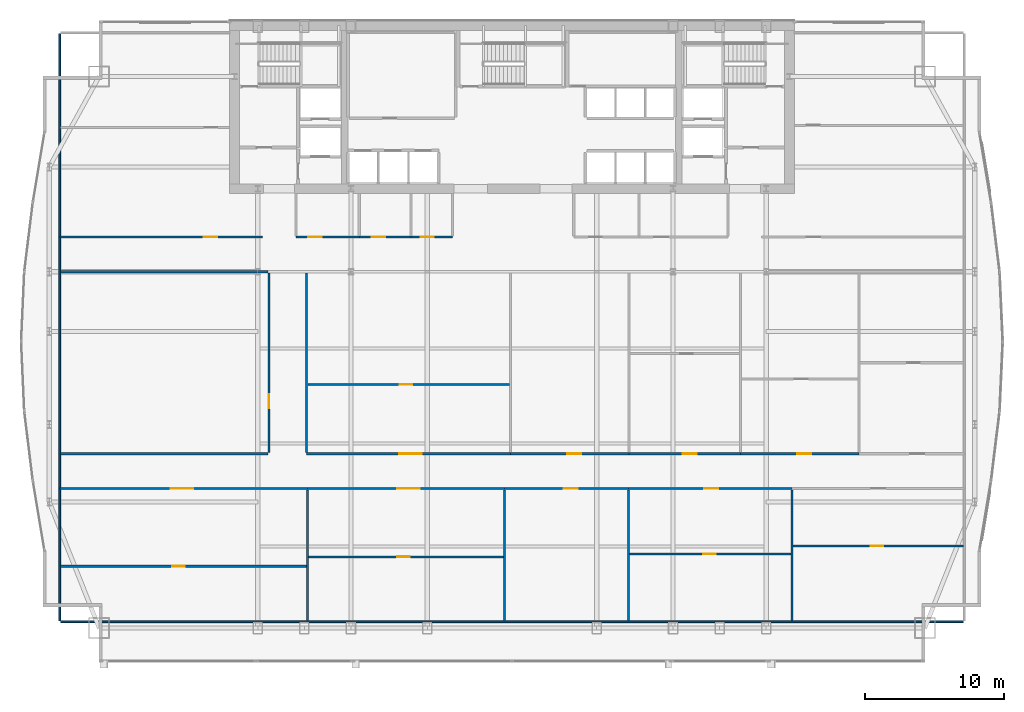
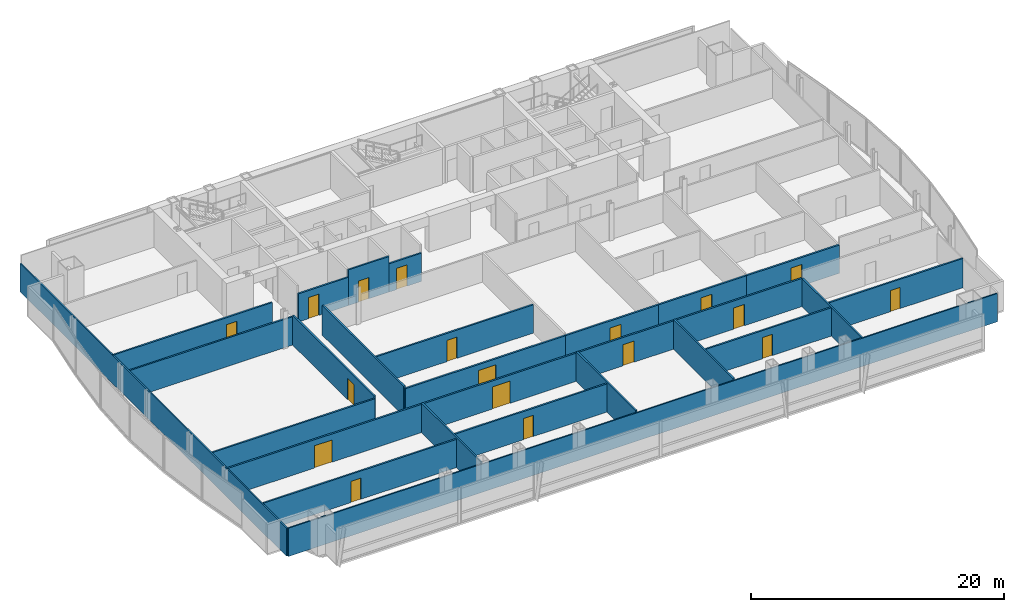
# One storey, part 26 of 31: 27 walls, 18 doors, 18 openings.
"""IFC4 building model written with IfcOpenShell, lengths in metres."""

import ifcopenshell
import ifcopenshell.guid

model = None  # the IFC model being written
_history = None  # IfcOwnerHistory: only IFC2X3 demands one
_inside = {}  # id of a spatial element -> (the spatial element, [elements in it])
_under = {}  # id of a project, library or spatial element -> (it, [spatial elements below it])
_declared = {}  # id of a project -> (the project, [libraries it declares])
_typed = {}  # id of a type object -> (the type object, [elements of that type])
_made_of = {}  # id of a material, layer set ... -> (it, [elements and type objects made of it])


def new_model(schema):
    """Start an empty IFC model of exactly this schema.

    Asked for "IFC4X3", IfcOpenShell would pick the latest addendum, in which some entities
    have other attributes; the version numbers below select the first issue.
    IFC2X3 requires an IfcOwnerHistory on every rooted entity: one is made here for all.
    """
    global model, _history
    if schema == "IFC4X3":
        model = ifcopenshell.file(schema_version=(4, 3, 0, 0))
    else:
        model = ifcopenshell.file(schema=schema)
    _inside.clear()
    _under.clear()
    _declared.clear()
    _typed.clear()
    _made_of.clear()
    _history = None
    if model.schema == "IFC2X3":
        org = make("IfcOrganization", Name="unknown")
        user = make(
            "IfcPersonAndOrganization",
            ThePerson=make("IfcPerson", FamilyName="unknown"),
            TheOrganization=org,
        )
        app = make(
            "IfcApplication",
            ApplicationDeveloper=org,
            Version="unknown",
            ApplicationFullName="unknown",
            ApplicationIdentifier="unknown",
        )
        _history = make(
            "IfcOwnerHistory",
            OwningUser=user,
            OwningApplication=app,
            ChangeAction="ADDED",
            CreationDate=0,
        )
    return model


def make(cls, **values):
    """One entity of the class cls with the attributes given. An attribute that is None is left unset."""
    return model.create_entity(
        cls, **{name: value for name, value in values.items() if value is not None}
    )


def rooted(cls, **values):
    """An entity with a GlobalId (a new one), such as an element, a storey or a relation."""
    return make(cls, GlobalId=ifcopenshell.guid.new(), OwnerHistory=_history, **values)


def si_unit(unit_type, name, prefix=None):
    """IfcSIUnit, for example si_unit("LENGTHUNIT", "METRE", prefix="MILLI")."""
    return make("IfcSIUnit", UnitType=unit_type, Prefix=prefix, Name=name)


def assignment(units):
    """IfcUnitAssignment: the units of a project."""
    return None if units is None else make("IfcUnitAssignment", Units=units)


def point(xyz):
    """IfcCartesianPoint."""
    return None if xyz is None else make("IfcCartesianPoint", Coordinates=xyz)


def direction(xyz):
    """IfcDirection."""
    return None if xyz is None else make("IfcDirection", DirectionRatios=xyz)


def frame(location, z_axis=None, x_axis=None):
    """IfcAxis2Placement3D, a coordinate frame: its origin and axes. An axis left out is left unset."""
    return make(
        "IfcAxis2Placement3D",
        Location=point(location),
        Axis=direction(z_axis),
        RefDirection=direction(x_axis),
    )


def frame_2d(location, x_axis=None):
    """IfcAxis2Placement2D, a coordinate frame in the plane: its origin and x axis."""
    return make(
        "IfcAxis2Placement2D", Location=point(location), RefDirection=direction(x_axis)
    )


def origin():
    """The frame at (0, 0, 0) with its axes left unset."""
    return frame((0.0, 0.0, 0.0))


def place(relative_to, where):
    """IfcLocalPlacement: puts the frame where relative to a parent placement (None: the world)."""
    return make(
        "IfcLocalPlacement", PlacementRelTo=relative_to, RelativePlacement=where
    )


def context(
    kind, dimensions, precision=None, world=None, true_north=None, identifier=None
):
    """IfcGeometricRepresentationContext, for example the 3D "Model" context."""
    return make(
        "IfcGeometricRepresentationContext",
        ContextIdentifier=identifier,
        ContextType=kind,
        CoordinateSpaceDimension=dimensions,
        Precision=precision,
        WorldCoordinateSystem=world,
        TrueNorth=true_north,
    )


def subcontext(parent, identifier, kind, view, scale=None):
    """IfcGeometricRepresentationSubContext, for example "Body" below "Model"."""
    return make(
        "IfcGeometricRepresentationSubContext",
        ContextIdentifier=identifier,
        ContextType=kind,
        ParentContext=parent,
        TargetScale=scale,
        TargetView=view,
    )


def project(units=None, contexts=None):
    """IfcProject with its units and contexts."""
    return rooted(
        "IfcProject",
        Name="project",
        RepresentationContexts=contexts,
        UnitsInContext=assignment(units),
    )


def spatial(cls, under=None, at=None, **own):
    """A site, building, storey or space (cls), placed at a placement, below another one or the project."""
    s = rooted(cls, ObjectPlacement=at, **own)
    if under is not None:
        _under.setdefault(under.id(), (under, []))[1].append(s)
    return s


def profile(cls, at=None, kind="AREA", **sizes):
    """A parametric profile (cls). Its sizes go by their IFC names, for example OverallWidth=200.0."""
    return make(cls, ProfileType=kind, Position=at, **sizes)


def rectangle(**sizes):
    """IfcRectangleProfileDef."""
    return profile("IfcRectangleProfileDef", **sizes)


def extrude(swept, where, along, depth):
    """IfcExtrudedAreaSolid: the profile swept, set in the frame where, extruded along a direction by depth."""
    return make(
        "IfcExtrudedAreaSolid",
        SweptArea=swept,
        Position=where,
        ExtrudedDirection=direction(along),
        Depth=depth,
    )


def shape(context_of_items, identifier, shape_type, items):
    """IfcShapeRepresentation: the items that make up one representation, for example the "Body"."""
    return make(
        "IfcShapeRepresentation",
        ContextOfItems=context_of_items,
        RepresentationIdentifier=identifier,
        RepresentationType=shape_type,
        Items=items,
    )


def material(Name=None, Category=None):
    """IfcMaterial."""
    return make("IfcMaterial", Name=Name, Category=Category)


def layer(
    of_material, thickness, ventilated=None, Name=None, Category=None, Priority=None
):
    """IfcMaterialLayer: one layer of a wall or slab, of a material (None: an air gap)."""
    return make(
        "IfcMaterialLayer",
        Material=of_material,
        LayerThickness=thickness,
        IsVentilated=ventilated,
        Name=Name,
        Category=Category,
        Priority=Priority,
    )


def layer_set(layers, Name=None):
    """IfcMaterialLayerSet."""
    return make("IfcMaterialLayerSet", MaterialLayers=layers, LayerSetName=Name)


def made_of(thing, what):
    """Note that an element or type object is made of a material, layer set ...; save() writes the relation."""
    if what is not None:
        _made_of.setdefault(what.id(), (what, []))[1].append(thing)
    return thing


def type_object(cls, material=None, **own):
    """A type object (cls), such as IfcWallType, which elements share."""
    return made_of(rooted(cls, **own), material)


def element(
    cls,
    number,
    at=None,
    inside=None,
    cuts=None,
    type_object=None,
    material=None,
    context=None,
    identifier="Body",
    shape_type=None,
    held_by="IfcProductDefinitionShape",
    body=None,
    shapes=None,
    **own,
):
    """One element of the class cls, such as IfcWall. Its Tag is "e" and its number.

    at: its placement. inside: the storey or other place that contains it. cuts: it is an
    opening in that element (IfcRelVoidsElement). A single representation is given by context,
    identifier, shape_type and body (its items); several are given by shapes. held_by: the class
    of the entity that holds the representations. save() writes the other relations.
    """
    e = rooted(cls, Tag="e%d" % number, ObjectPlacement=at, **own)
    if body is not None:
        shapes = [shape(context, identifier, shape_type, body)]
    if shapes is not None:
        e.Representation = make(held_by, Representations=shapes)
    if inside is not None:
        _inside.setdefault(inside.id(), (inside, []))[1].append(e)
    if cuts is not None:
        rooted(
            "IfcRelVoidsElement", RelatingBuildingElement=cuts, RelatedOpeningElement=e
        )
    if type_object is not None:
        _typed.setdefault(type_object.id(), (type_object, []))[1].append(e)
    return made_of(e, material)


def fill(opening, filler):
    """IfcRelFillsElement: the door or window that sits in an opening."""
    return rooted(
        "IfcRelFillsElement",
        RelatingOpeningElement=opening,
        RelatedBuildingElement=filler,
    )


def aggregate(whole, parts):
    """IfcRelAggregates: a whole, such as a stair, and the parts it consists of."""
    return rooted("IfcRelAggregates", RelatingObject=whole, RelatedObjects=parts)


def save(model, path):
    """Write the relations noted so far, then the file.

    IfcRelAggregates (storeys below a building ...), IfcRelContainedInSpatialStructure (elements
    in a storey), IfcRelDefinesByType, IfcRelAssociatesMaterial and IfcRelDeclares: one each for
    every whole, place, type object, material and project.
    """
    for whole, parts in _under.values():
        aggregate(whole, parts)
    for where, things in _inside.values():
        rooted(
            "IfcRelContainedInSpatialStructure",
            RelatedElements=things,
            RelatingStructure=where,
        )
    for kind, things in _typed.values():
        rooted("IfcRelDefinesByType", RelatedObjects=things, RelatingType=kind)
    for what, things in _made_of.values():
        rooted("IfcRelAssociatesMaterial", RelatedObjects=things, RelatingMaterial=what)
    for by, libraries in _declared.values():
        rooted("IfcRelDeclares", RelatingContext=by, RelatedDefinitions=libraries)
    model.write(path)


model = new_model("IFC4")

# Units and contexts
model_context = context("Model", 3, precision=1e-05, world=origin(), true_north=direction((0.0, 1.0)))
body_context = subcontext(model_context, "Body", "Model", "MODEL_VIEW")
ifc_project = project(units=[si_unit("LENGTHUNIT", "METRE"), si_unit("AREAUNIT", "SQUARE_METRE"), si_unit("VOLUMEUNIT", "CUBIC_METRE"), si_unit("PLANEANGLEUNIT", "RADIAN"), si_unit("MASSUNIT", "GRAM", prefix="KILO")], contexts=[model_context])

# Site, building, storey
site_placement = place(None, origin())
site = spatial("IfcSite", under=ifc_project, at=site_placement, CompositionType="ELEMENT")
building_placement = place(site_placement, origin())
building = spatial("IfcBuilding", under=site, at=building_placement, Name="Khoronbel Lancet Exchange", CompositionType="ELEMENT")
storey_placement = place(building_placement, frame((0.0, 0.0, 121.800048828125)))
storey = spatial("IfcBuildingStorey", under=building, at=storey_placement, Name="L29", CompositionType="ELEMENT", Elevation=121.800048828125)

# Wall, opening, door
ifc_material_1 = material(Name="Acoustic Metal-Stud & Mineral-Wool Gypsum Partition 120 mm", Category="gypsum")
ifc_layer_1 = layer(ifc_material_1, 0.1201171875, Name="Acoustic Metal-Stud & Mineral-Wool Gypsum Partition 120 mm")
ifc_layer_set_1 = layer_set([ifc_layer_1], Name="Acoustic Metal-Stud & Mineral-Wool Gypsum Partition 120 mm")
wall_type_1 = type_object("IfcWallType", Name="WL-PRT120", PredefinedType="PARTITIONING", material=ifc_layer_set_1)
wall_1_placement = place(storey_placement, frame((4.094970703125, 14.58447265625, 0.0), z_axis=(0.0, 0.0, 1.0), x_axis=(1.0, 0.0, 0.0)))
wall_1 = element("IfcWall", 1, at=wall_1_placement, inside=storey, type_object=wall_type_1, Name="Level L29 interior partition PW-Z2S-H1", PredefinedType="PARTITIONING", context=body_context, shape_type="SweptSolid", body=[
    extrude(rectangle(XDim=17.6201171875, YDim=0.14990234375, at=frame_2d((8.81005859375, 0.0))), origin(), (0.0, 0.0, 1.0), 2.72998046875),
])
opening_1_placement = place(wall_1_placement, frame((7.994384765625, 0.0, 0.0)))
opening_1 = element("IfcOpeningElement", 2, at=opening_1_placement, cuts=wall_1, Name="Opening D5", PredefinedType="OPENING", context=body_context, shape_type="SweptSolid", body=[
    extrude(rectangle(XDim=0.89990234375, YDim=2.050048828125, at=frame_2d((0.449951171875, 1.02490234375))), frame((0.0, 0.0849609375, 0.0), z_axis=(0.0, -1.0, 0.0), x_axis=(1.0, 0.0, 0.0)), (0.0, 0.0, 1.0), 0.169921875),
])
ifc_material_2 = material(Name="Acoustic Timber Pantry & Support Door", Category="wood")
door_type_1 = type_object("IfcDoorType", Name="DR-D5", OperationType="NOTDEFINED", PredefinedType="DOOR", material=ifc_material_2)
door_1_placement = place(opening_1_placement, origin())
door_1 = element("IfcDoor", 3, at=door_1_placement, inside=storey, type_object=door_type_1, Name="Z2S inner door 1 L29-1", OperationType="SINGLE_SWING_RIGHT", OverallHeight=2.050048828125, OverallWidth=0.89990234375, PredefinedType="DOOR", context=body_context, shape_type="SweptSolid", body=[
    extrude(rectangle(XDim=0.89990234375, YDim=2.050048828125, at=frame_2d((0.449951171875, 1.02490234375))), frame((0.0, 0.02490234375, 0.0), z_axis=(0.0, -1.0, 0.0), x_axis=(1.0, 0.0, 0.0)), (0.0, 0.0, 1.0), 0.050048828125),
])
fill(opening_1, door_1)

wall_2_placement = place(storey_placement, frame((21.875, 15.260986328125, 0.0), z_axis=(0.0, 0.0, 1.0), x_axis=(1.0, 0.0, 0.0)))
wall_2 = element("IfcWall", 4, at=wall_2_placement, inside=storey, type_object=wall_type_1, Name="Level L29 interior partition PW-Z2S-H2", PredefinedType="PARTITIONING", context=body_context, shape_type="SweptSolid", body=[
    extrude(rectangle(XDim=13.968994140625, YDim=0.14990234375, at=frame_2d((6.984375, 0.0))), origin(), (0.0, 0.0, 1.0), 2.72998046875),
])
opening_2_placement = place(wall_2_placement, frame((6.358154296875, 0.0, 0.0)))
opening_2 = element("IfcOpeningElement", 5, at=opening_2_placement, cuts=wall_2, Name="Opening D5", PredefinedType="OPENING", context=body_context, shape_type="SweptSolid", body=[
    extrude(rectangle(XDim=0.89990234375, YDim=2.050048828125, at=frame_2d((0.449951171875, 1.02490234375))), frame((0.0, 0.0849609375, 0.0), z_axis=(0.0, -1.0, 0.0), x_axis=(1.0, 0.0, 0.0)), (0.0, 0.0, 1.0), 0.169921875),
])
door_2_placement = place(opening_2_placement, origin())
door_2 = element("IfcDoor", 6, at=door_2_placement, inside=storey, type_object=door_type_1, Name="Z2S inner door 2 L29-1", OperationType="SINGLE_SWING_LEFT", OverallHeight=2.050048828125, OverallWidth=0.89990234375, PredefinedType="DOOR", context=body_context, shape_type="SweptSolid", body=[
    extrude(rectangle(XDim=0.89990234375, YDim=2.050048828125, at=frame_2d((0.449951171875, 1.02490234375))), frame((0.0, 0.02490234375, 0.0), z_axis=(0.0, -1.0, 0.0), x_axis=(1.0, 0.0, 0.0)), (0.0, 0.0, 1.0), 0.050048828125),
])
fill(opening_2, door_2)

wall_3_placement = place(storey_placement, frame((44.88671875, 15.4716796875, 0.0), z_axis=(0.0, 0.0, 1.0), x_axis=(1.0, 0.0, 0.0)))
wall_3 = element("IfcWall", 7, at=wall_3_placement, inside=storey, type_object=wall_type_1, Name="Level L29 interior partition PW-Z2S-H4", PredefinedType="PARTITIONING", context=body_context, shape_type="SweptSolid", body=[
    extrude(rectangle(XDim=11.56640625, YDim=0.14990234375, at=frame_2d((5.783203125, 0.0))), origin(), (0.0, 0.0, 1.0), 2.72998046875),
])
opening_3_placement = place(wall_3_placement, frame((5.27685546875, 0.0, 0.0)))
opening_3 = element("IfcOpeningElement", 8, at=opening_3_placement, cuts=wall_3, Name="Opening D5", PredefinedType="OPENING", context=body_context, shape_type="SweptSolid", body=[
    extrude(rectangle(XDim=0.89990234375, YDim=2.050048828125, at=frame_2d((0.449951171875, 1.02490234375))), frame((0.0, 0.0849609375, 0.0), z_axis=(0.0, -1.0, 0.0), x_axis=(1.0, 0.0, 0.0)), (0.0, 0.0, 1.0), 0.169921875),
])
door_3_placement = place(opening_3_placement, origin())
door_3 = element("IfcDoor", 9, at=door_3_placement, inside=storey, type_object=door_type_1, Name="Z2S inner door 4 L29-1", OperationType="SINGLE_SWING_RIGHT", OverallHeight=2.050048828125, OverallWidth=0.89990234375, PredefinedType="DOOR", context=body_context, shape_type="SweptSolid", body=[
    extrude(rectangle(XDim=0.89990234375, YDim=2.050048828125, at=frame_2d((0.449951171875, 1.02490234375))), frame((0.0, 0.02490234375, 0.0), z_axis=(0.0, -1.0, 0.0), x_axis=(1.0, 0.0, 0.0)), (0.0, 0.0, 1.0), 0.050048828125),
])
fill(opening_3, door_3)

wall_4_placement = place(storey_placement, frame((56.613037109375, 16.03369140625, 0.0), z_axis=(0.0, 0.0, 1.0), x_axis=(1.0, 0.0, 0.0)))
wall_4 = element("IfcWall", 10, at=wall_4_placement, inside=storey, type_object=wall_type_1, Name="Level L29 interior partition PW-Z2S-H5", PredefinedType="PARTITIONING", context=body_context, shape_type="SweptSolid", body=[
    extrude(rectangle(XDim=12.19189453125, YDim=0.14990234375, at=frame_2d((6.095947265625, 0.0))), origin(), (0.0, 0.0, 1.0), 2.829833984375),
])
opening_4_placement = place(wall_4_placement, frame((5.551513671875, 0.0, 0.0)))
opening_4 = element("IfcOpeningElement", 11, at=opening_4_placement, cuts=wall_4, Name="Opening D5", PredefinedType="OPENING", context=body_context, shape_type="SweptSolid", body=[
    extrude(rectangle(XDim=0.89990234375, YDim=2.050048828125, at=frame_2d((0.449951171875, 1.02490234375))), frame((0.0, 0.0849609375, 0.0), z_axis=(0.0, -1.0, 0.0), x_axis=(1.0, 0.0, 0.0)), (0.0, 0.0, 1.0), 0.169921875),
])
door_4_placement = place(opening_4_placement, origin())
door_4 = element("IfcDoor", 12, at=door_4_placement, inside=storey, type_object=door_type_1, Name="Z2S inner door 5 L29-1", OperationType="SINGLE_SWING_RIGHT", OverallHeight=2.050048828125, OverallWidth=0.89990234375, PredefinedType="DOOR", context=body_context, shape_type="SweptSolid", body=[
    extrude(rectangle(XDim=0.89990234375, YDim=2.050048828125, at=frame_2d((0.449951171875, 1.02490234375))), frame((0.0, 0.02490234375, 0.0), z_axis=(0.0, -1.0, 0.0), x_axis=(1.0, 0.0, 0.0)), (0.0, 0.0, 1.0), 0.050048828125),
])
fill(opening_4, door_4)

wall_5_placement = place(storey_placement, frame((21.81005859375, 27.60888671875, 0.0), z_axis=(0.0, 0.0, 1.0), x_axis=(1.0, 0.0, 0.0)))
wall_5 = element("IfcWall", 13, at=wall_5_placement, inside=storey, type_object=wall_type_1, Name="Level L29 interior partition PW-Z2N-H1", PredefinedType="PARTITIONING", context=body_context, shape_type="SweptSolid", body=[
    extrude(rectangle(XDim=14.453369140625, YDim=0.14990234375, at=frame_2d((7.2265625, 0.0))), origin(), (0.0, 0.0, 1.0), 2.72998046875),
])
opening_5_placement = place(wall_5_placement, frame((6.575927734375, 0.0, 0.0)))
opening_5 = element("IfcOpeningElement", 14, at=opening_5_placement, cuts=wall_5, Name="Opening D5", PredefinedType="OPENING", context=body_context, shape_type="SweptSolid", body=[
    extrude(rectangle(XDim=0.89990234375, YDim=2.050048828125, at=frame_2d((0.449951171875, 1.02490234375))), frame((0.0, 0.0849609375, 0.0), z_axis=(0.0, -1.0, 0.0), x_axis=(1.0, 0.0, 0.0)), (0.0, 0.0, 1.0), 0.169921875),
])
door_5_placement = place(opening_5_placement, origin())
door_5 = element("IfcDoor", 15, at=door_5_placement, inside=storey, type_object=door_type_1, Name="Z2N inner door 1 L29-1", OperationType="SINGLE_SWING_RIGHT", OverallHeight=2.050048828125, OverallWidth=0.89990234375, PredefinedType="DOOR", context=body_context, shape_type="SweptSolid", body=[
    extrude(rectangle(XDim=0.89990234375, YDim=2.050048828125, at=frame_2d((0.449951171875, 1.02490234375))), frame((0.0, 0.02490234375, 0.0), z_axis=(0.0, -1.0, 0.0), x_axis=(1.0, 0.0, 0.0)), (0.0, 0.0, 1.0), 0.050048828125),
])
fill(opening_5, door_5)

# Walls
wall_6_placement = place(storey_placement, frame((4.030029296875, 10.6650390625, 0.0), z_axis=(0.0, 0.0, 1.0), x_axis=(0.0, 1.0, 0.0)))
element("IfcWall", 16, at=wall_6_placement, inside=storey, type_object=wall_type_1, Name="Level L29 interior partition PW-LIN-W", PredefinedType="PARTITIONING", context=body_context, shape_type="SweptSolid", body=[
    extrude(rectangle(XDim=42.10986328125, YDim=0.1201171875, at=frame_2d((21.054931640625, 0.0))), origin(), (0.0, 0.0, 1.0), 2.72998046875),
])
wall_7_placement = place(storey_placement, frame((4.094970703125, 10.60009765625, 0.0), z_axis=(0.0, 0.0, 1.0), x_axis=(1.0, 0.0, 0.0)))
element("IfcWall", 17, at=wall_7_placement, inside=storey, type_object=wall_type_1, Name="Level L29 interior partition PW-LIN-S", PredefinedType="PARTITIONING", context=body_context, shape_type="SweptSolid", body=[
    extrude(rectangle(XDim=64.7099609375, YDim=0.1201171875, at=frame_2d((32.35498046875, 0.0))), origin(), (0.0, 0.0, 1.0), 2.72998046875),
])

# Wall, opening, door
ifc_material_3 = material(Name="Fire-Rated Twin-Stud Acoustic Gypsum Partition 150 mm", Category="gypsum")
ifc_layer_2 = layer(ifc_material_3, 0.14990234375, Name="Fire-Rated Twin-Stud Acoustic Gypsum Partition 150 mm")
ifc_layer_set_2 = layer_set([ifc_layer_2], Name="Fire-Rated Twin-Stud Acoustic Gypsum Partition 150 mm")
wall_type_2 = type_object("IfcWallType", Name="WL-PRT150C", PredefinedType="PARTITIONING", material=ifc_layer_set_2)
wall_8_placement = place(storey_placement, frame((20.949951171875, 38.199951171875, 0.0), z_axis=(0.0, 0.0, 1.0), x_axis=(1.0, 0.0, 0.0)))
wall_8 = element("IfcWall", 18, at=wall_8_placement, inside=storey, type_object=wall_type_2, Name="Level L29 interior partition PW-WC-S1", PredefinedType="PARTITIONING", context=body_context, shape_type="SweptSolid", body=[
    extrude(rectangle(XDim=4.550048828125, YDim=0.14990234375, at=frame_2d((2.27490234375, 0.0))), origin(), (0.0, 0.0, 1.0), 2.72998046875),
])
opening_6_placement = place(wall_8_placement, frame((0.89990234375, 0.0, 0.0)))
opening_6 = element("IfcOpeningElement", 19, at=opening_6_placement, cuts=wall_8, Name="Opening D4", PredefinedType="OPENING", context=body_context, shape_type="SweptSolid", body=[
    extrude(rectangle(XDim=0.949951171875, YDim=2.050048828125, at=frame_2d((0.47509765625, 1.02490234375))), frame((0.0, 0.0849609375, 0.0), z_axis=(0.0, -1.0, 0.0), x_axis=(1.0, 0.0, 0.0)), (0.0, 0.0, 1.0), 0.169921875),
])
ifc_material_4 = material(Name="Moisture-Resistant HPL Washroom Door", Category="wood")
door_type_2 = type_object("IfcDoorType", Name="DR-D4", OperationType="NOTDEFINED", PredefinedType="DOOR", material=ifc_material_4)
door_6_placement = place(opening_6_placement, origin())
door_6 = element("IfcDoor", 20, at=door_6_placement, inside=storey, type_object=door_type_2, Name="Male washroom door L29-1", OperationType="SINGLE_SWING_LEFT", OverallHeight=2.050048828125, OverallWidth=0.949951171875, PredefinedType="DOOR", context=body_context, shape_type="SweptSolid", body=[
    extrude(rectangle(XDim=0.949951171875, YDim=2.050048828125, at=frame_2d((0.47509765625, 1.02490234375))), frame((0.0, 0.02490234375, 0.0), z_axis=(0.0, -1.0, 0.0), x_axis=(1.0, 0.0, 0.0)), (0.0, 0.0, 1.0), 0.050048828125),
])
fill(opening_6, door_6)

wall_9_placement = place(storey_placement, frame((25.5, 38.199951171875, 0.0), z_axis=(0.0, 0.0, 1.0), x_axis=(1.0, 0.0, 0.0)))
wall_9 = element("IfcWall", 21, at=wall_9_placement, inside=storey, type_object=wall_type_2, Name="Level L29 interior partition PW-WC-S2", PredefinedType="PARTITIONING", context=body_context, shape_type="SweptSolid", body=[
    extrude(rectangle(XDim=3.699951171875, YDim=0.14990234375, at=frame_2d((1.85009765625, 0.0))), origin(), (0.0, 0.0, 1.0), 3.43994140625),
])
opening_7_placement = place(wall_9_placement, frame((0.89990234375, 0.0, 0.0)))
opening_7 = element("IfcOpeningElement", 22, at=opening_7_placement, cuts=wall_9, Name="Opening D4", PredefinedType="OPENING", context=body_context, shape_type="SweptSolid", body=[
    extrude(rectangle(XDim=0.949951171875, YDim=2.050048828125, at=frame_2d((0.47509765625, 1.02490234375))), frame((0.0, 0.0849609375, 0.0), z_axis=(0.0, -1.0, 0.0), x_axis=(1.0, 0.0, 0.0)), (0.0, 0.0, 1.0), 0.169921875),
])
door_7_placement = place(opening_7_placement, origin())
door_7 = element("IfcDoor", 23, at=door_7_placement, inside=storey, type_object=door_type_2, Name="Female washroom door L29-1", OperationType="SINGLE_SWING_RIGHT", OverallHeight=2.050048828125, OverallWidth=0.949951171875, PredefinedType="DOOR", context=body_context, shape_type="SweptSolid", body=[
    extrude(rectangle(XDim=0.949951171875, YDim=2.050048828125, at=frame_2d((0.47509765625, 1.02490234375))), frame((0.0, 0.02490234375, 0.0), z_axis=(0.0, -1.0, 0.0), x_axis=(1.0, 0.0, 0.0)), (0.0, 0.0, 1.0), 0.050048828125),
])
fill(opening_7, door_7)

wall_10_placement = place(storey_placement, frame((29.199951171875, 38.199951171875, 0.0), z_axis=(0.0, 0.0, 1.0), x_axis=(1.0, 0.0, 0.0)))
wall_10 = element("IfcWall", 24, at=wall_10_placement, inside=storey, type_object=wall_type_2, Name="Level L29 interior partition PW-WC-S3", PredefinedType="PARTITIONING", context=body_context, shape_type="SweptSolid", body=[
    extrude(rectangle(XDim=2.97998046875, YDim=0.14990234375, at=frame_2d((1.489990234375, 0.0))), origin(), (0.0, 0.0, 1.0), 2.72998046875),
])
opening_8_placement = place(wall_10_placement, frame((0.699951171875, 0.0, 0.0)))
opening_8 = element("IfcOpeningElement", 25, at=opening_8_placement, cuts=wall_10, Name="Opening D4", PredefinedType="OPENING", context=body_context, shape_type="SweptSolid", body=[
    extrude(rectangle(XDim=0.949951171875, YDim=2.050048828125, at=frame_2d((0.47509765625, 1.02490234375))), frame((0.0, 0.0849609375, 0.0), z_axis=(0.0, -1.0, 0.0), x_axis=(1.0, 0.0, 0.0)), (0.0, 0.0, 1.0), 0.169921875),
])
door_8_placement = place(opening_8_placement, origin())
door_8 = element("IfcDoor", 26, at=door_8_placement, inside=storey, type_object=door_type_2, Name="Accessible WC door L29-1", OperationType="SINGLE_SWING_LEFT", OverallHeight=2.050048828125, OverallWidth=0.949951171875, PredefinedType="DOOR", context=body_context, shape_type="SweptSolid", body=[
    extrude(rectangle(XDim=0.949951171875, YDim=2.050048828125, at=frame_2d((0.47509765625, 1.02490234375))), frame((0.0, 0.02490234375, 0.0), z_axis=(0.0, -1.0, 0.0), x_axis=(1.0, 0.0, 0.0)), (0.0, 0.0, 1.0), 0.050048828125),
])
fill(opening_8, door_8)

wall_11_placement = place(storey_placement, frame((4.030029296875, 38.199951171875, 0.0), z_axis=(0.0, 0.0, 1.0), x_axis=(1.0, 0.0, 0.0)))
wall_11 = element("IfcWall", 27, at=wall_11_placement, inside=storey, type_object=wall_type_2, Name="Level L29 interior partition PW-NW-S", PredefinedType="PARTITIONING", context=body_context, shape_type="SweptSolid", body=[
    extrude(rectangle(XDim=14.52001953125, YDim=0.14990234375, at=frame_2d((7.260009765625, 0.0))), origin(), (0.0, 0.0, 1.0), 2.72998046875),
])
opening_9_placement = place(wall_11_placement, frame((10.320068359375, 0.0, 0.0)))
opening_9 = element("IfcOpeningElement", 28, at=opening_9_placement, cuts=wall_11, Name="Opening D1", PredefinedType="OPENING", context=body_context, shape_type="SweptSolid", body=[
    extrude(rectangle(XDim=0.949951171875, YDim=2.050048828125, at=frame_2d((0.47509765625, 1.02490234375))), frame((0.0, 0.0849609375, 0.0), z_axis=(0.0, -1.0, 0.0), x_axis=(1.0, 0.0, 0.0)), (0.0, 0.0, 1.0), 0.169921875),
])
ifc_material_5 = material(Name="Acoustic Veneered Timber & Bronze Frame Door", Category="wood")
door_type_3 = type_object("IfcDoorType", Name="DR-D1", OperationType="NOTDEFINED", PredefinedType="DOOR", material=ifc_material_5)
door_9_placement = place(opening_9_placement, origin())
door_9 = element("IfcDoor", 29, at=door_9_placement, inside=storey, type_object=door_type_3, Name="NW corner room door L29-1", OperationType="SINGLE_SWING_RIGHT", OverallHeight=2.050048828125, OverallWidth=0.949951171875, PredefinedType="DOOR", context=body_context, shape_type="SweptSolid", body=[
    extrude(rectangle(XDim=0.949951171875, YDim=2.050048828125, at=frame_2d((0.47509765625, 1.02490234375))), frame((0.0, 0.02490234375, 0.0), z_axis=(0.0, -1.0, 0.0), x_axis=(1.0, 0.0, 0.0)), (0.0, 0.0, 1.0), 0.050048828125),
])
fill(opening_9, door_9)

# Walls
for number, where, z_axis, x_axis, name in (
    (30, (21.795166015625, 10.6650390625, 0.0), (0.0, 0.0, 1.0), (0.0, 1.0, 0.0), "Level L29 interior partition PW-Z2S-V1"),
    (31, (35.924072265625, 10.6650390625, 0.0), (0.0, 0.0, 1.0), (0.0, 1.0, 0.0), "Level L29 interior partition PW-Z2S-V2"),
    (32, (44.806640625, 10.6650390625, 0.0), (0.0, 0.0, 1.0), (0.0, 1.0, 0.0), "Level L29 interior partition PW-Z2S-V3"),
):
    element("IfcWall", number, at=place(storey_placement, frame(where, z_axis=z_axis, x_axis=x_axis)), inside=storey, type_object=wall_type_2, Name=name, PredefinedType="PARTITIONING", context=body_context, shape_type="SweptSolid", body=[
        extrude(rectangle(XDim=9.39990234375, YDim=0.14990234375, at=frame_2d((4.699951171875, 0.0))), origin(), (0.0, 0.0, 1.0), 2.8798828125),
    ])
wall_12_placement = place(storey_placement, frame((56.533203125, 10.6650390625, 0.0), z_axis=(0.0, 0.0, 1.0), x_axis=(0.0, 1.0, 0.0)))
element("IfcWall", 33, at=wall_12_placement, inside=storey, type_object=wall_type_2, Name="Level L29 interior partition PW-Z2S-V4", PredefinedType="PARTITIONING", context=body_context, shape_type="SweptSolid", body=[
    extrude(rectangle(XDim=9.39990234375, YDim=0.14990234375, at=frame_2d((4.699951171875, 0.0))), origin(), (0.0, 0.0, 1.0), 2.72998046875),
])

# Wall, opening, door
wall_13_placement = place(storey_placement, frame((19.02001953125, 22.72998046875, 0.0), z_axis=(0.0, 0.0, 1.0), x_axis=(0.0, 1.0, 0.0)))
wall_13 = element("IfcWall", 34, at=wall_13_placement, inside=storey, type_object=wall_type_2, Name="Level L29 interior partition PW-Z2-WLK", PredefinedType="PARTITIONING", context=body_context, shape_type="SweptSolid", body=[
    extrude(rectangle(XDim=12.89013671875, YDim=0.14990234375, at=frame_2d((6.445068359375, 0.0))), origin(), (0.0, 0.0, 1.0), 2.8798828125),
])
opening_10_placement = place(wall_13_placement, frame((3.199951171875, 0.0, 0.0)))
opening_10 = element("IfcOpeningElement", 35, at=opening_10_placement, cuts=wall_13, Name="Opening D2", PredefinedType="OPENING", context=body_context, shape_type="SweptSolid", body=[
    extrude(rectangle(XDim=1.0, YDim=2.050048828125, at=frame_2d((0.5, 1.02490234375))), frame((0.0, 0.0849609375, 0.0), z_axis=(0.0, -1.0, 0.0), x_axis=(1.0, 0.0, 0.0)), (0.0, 0.0, 1.0), 0.169921875),
])
door_type_4 = type_object("IfcDoorType", Name="DR-D2", OperationType="NOTDEFINED", PredefinedType="DOOR", material=ifc_material_5)
door_10_placement = place(opening_10_placement, origin())
door_10 = element("IfcDoor", 36, at=door_10_placement, inside=storey, type_object=door_type_4, Name="West mid-band room door L29-1", OperationType="SINGLE_SWING_LEFT", OverallHeight=2.050048828125, OverallWidth=1.0, PredefinedType="DOOR", context=body_context, shape_type="SweptSolid", body=[
    extrude(rectangle(XDim=1.0, YDim=2.050048828125, at=frame_2d((0.5, 1.02490234375))), frame((0.0, 0.02490234375, 0.0), z_axis=(0.0, -1.0, 0.0), x_axis=(1.0, 0.0, 0.0)), (0.0, 0.0, 1.0), 0.050048828125),
])
fill(opening_10, door_10)

# Walls
for number, where, z_axis, x_axis, name in (
    (37, (4.094970703125, 22.64990234375, 0.0), (0.0, 0.0, 1.0), (1.0, 0.0, 0.0), "Level L29 interior partition PW-Z2-WS"),
    (38, (4.094970703125, 35.699951171875, 0.0), (0.0, 0.0, 1.0), (1.0, 0.0, 0.0), "Level L29 interior partition PW-Z2-WN"),
):
    element("IfcWall", number, at=place(storey_placement, frame(where, z_axis=z_axis, x_axis=x_axis)), inside=storey, type_object=wall_type_2, Name=name, PredefinedType="PARTITIONING", context=body_context, shape_type="SweptSolid", body=[
        extrude(rectangle(XDim=14.844970703125, YDim=0.14990234375, at=frame_2d((7.42236328125, 0.0))), origin(), (0.0, 0.0, 1.0), 2.72998046875),
    ])
wall_14_placement = place(storey_placement, frame((21.72998046875, 22.735107421875, 0.0), z_axis=(0.0, 0.0, 1.0), x_axis=(0.0, 1.0, 0.0)))
element("IfcWall", 39, at=wall_14_placement, inside=storey, type_object=wall_type_2, Name="Level L29 interior partition PW-Z2-ELK", PredefinedType="PARTITIONING", context=body_context, shape_type="SweptSolid", body=[
    extrude(rectangle(XDim=12.885009765625, YDim=0.14990234375, at=frame_2d((6.4423828125, 0.0))), origin(), (0.0, 0.0, 1.0), 2.8798828125),
])

# Wall, opening, door
ifc_material_6 = material(Name="Fire-Rated Twin-Stud Acoustic Gypsum Partition 160 mm", Category="gypsum")
ifc_layer_3 = layer(ifc_material_6, 0.159912109375, Name="Fire-Rated Twin-Stud Acoustic Gypsum Partition 160 mm")
ifc_layer_set_3 = layer_set([ifc_layer_3], Name="Fire-Rated Twin-Stud Acoustic Gypsum Partition 160 mm")
wall_type_3 = type_object("IfcWallType", Name="WL-PRT160C", PredefinedType="PARTITIONING", material=ifc_layer_set_3)
wall_15_placement = place(storey_placement, frame((4.030029296875, 20.14990234375, 0.0), z_axis=(0.0, 0.0, 1.0), x_axis=(1.0, 0.0, 0.0)))
wall_15 = element("IfcWall", 40, at=wall_15_placement, inside=storey, type_object=wall_type_3, Name="Level L29 interior partition PW-Z2S-COR1", PredefinedType="PARTITIONING", context=body_context, shape_type="SweptSolid", body=[
    extrude(rectangle(XDim=17.76513671875, YDim=0.159912109375, at=frame_2d((8.882568359375, 0.0))), origin(), (0.0, 0.0, 1.0), 2.72998046875),
])
opening_11_placement = place(wall_15_placement, frame((7.961181640625, 0.0, 0.0)))
opening_11 = element("IfcOpeningElement", 41, at=opening_11_placement, cuts=wall_15, Name="Opening D3", PredefinedType="OPENING", context=body_context, shape_type="SweptSolid", body=[
    extrude(rectangle(XDim=1.60009765625, YDim=2.14990234375, at=frame_2d((0.800048828125, 1.074951171875))), frame((0.0, 0.08984375, 0.0), z_axis=(0.0, -1.0, 0.0), x_axis=(1.0, 0.0, 0.0)), (0.0, 0.0, 1.0), 0.179931640625),
])
ifc_material_7 = material(Name="Glazed Bronze-Framed Double Suite Door", Category="aluminium")
door_type_5 = type_object("IfcDoorType", Name="DR-D3", OperationType="NOTDEFINED", PredefinedType="DOOR", material=ifc_material_7)
door_11_placement = place(opening_11_placement, origin())
door_11 = element("IfcDoor", 42, at=door_11_placement, inside=storey, type_object=door_type_5, Name="Z2S bay 1 door L29-1", OperationType="DOUBLE_DOOR_SINGLE_SWING", OverallHeight=2.14990234375, OverallWidth=1.60009765625, PredefinedType="DOOR", context=body_context, shape_type="SweptSolid", body=[
    extrude(rectangle(XDim=1.60009765625, YDim=2.14990234375, at=frame_2d((0.800048828125, 1.074951171875))), frame((0.0, 0.02490234375, 0.0), z_axis=(0.0, -1.0, 0.0), x_axis=(1.0, 0.0, 0.0)), (0.0, 0.0, 1.0), 0.050048828125),
])
fill(opening_11, door_11)

wall_16_placement = place(storey_placement, frame((21.795166015625, 20.14990234375, 0.0), z_axis=(0.0, 0.0, 1.0), x_axis=(1.0, 0.0, 0.0)))
wall_16 = element("IfcWall", 43, at=wall_16_placement, inside=storey, type_object=wall_type_3, Name="Level L29 interior partition PW-Z2S-COR2", PredefinedType="PARTITIONING", context=body_context, shape_type="SweptSolid", body=[
    extrude(rectangle(XDim=14.12890625, YDim=0.159912109375, at=frame_2d((7.064453125, 0.0))), origin(), (0.0, 0.0, 1.0), 2.72998046875),
])
opening_12_placement = place(wall_16_placement, frame((6.43408203125, 0.0, 0.0)))
opening_12 = element("IfcOpeningElement", 44, at=opening_12_placement, cuts=wall_16, Name="Opening D3", PredefinedType="OPENING", context=body_context, shape_type="SweptSolid", body=[
    extrude(rectangle(XDim=1.60009765625, YDim=2.14990234375, at=frame_2d((0.800048828125, 1.074951171875))), frame((0.0, 0.08984375, 0.0), z_axis=(0.0, -1.0, 0.0), x_axis=(1.0, 0.0, 0.0)), (0.0, 0.0, 1.0), 0.179931640625),
])
door_12_placement = place(opening_12_placement, origin())
door_12 = element("IfcDoor", 45, at=door_12_placement, inside=storey, type_object=door_type_5, Name="Z2S bay 2 door L29-1", OperationType="DOUBLE_DOOR_SINGLE_SWING", OverallHeight=2.14990234375, OverallWidth=1.60009765625, PredefinedType="DOOR", context=body_context, shape_type="SweptSolid", body=[
    extrude(rectangle(XDim=1.60009765625, YDim=2.14990234375, at=frame_2d((0.800048828125, 1.074951171875))), frame((0.0, 0.02490234375, 0.0), z_axis=(0.0, -1.0, 0.0), x_axis=(1.0, 0.0, 0.0)), (0.0, 0.0, 1.0), 0.050048828125),
])
fill(opening_12, door_12)

wall_17_placement = place(storey_placement, frame((35.924072265625, 20.14990234375, 0.0), z_axis=(0.0, 0.0, 1.0), x_axis=(1.0, 0.0, 0.0)))
wall_17 = element("IfcWall", 46, at=wall_17_placement, inside=storey, type_object=wall_type_3, Name="Level L29 interior partition PW-Z2S-COR3", PredefinedType="PARTITIONING", context=body_context, shape_type="SweptSolid", body=[
    extrude(rectangle(XDim=8.882568359375, YDim=0.159912109375, at=frame_2d((4.44140625, 0.0))), origin(), (0.0, 0.0, 1.0), 2.72998046875),
])
opening_13_placement = place(wall_17_placement, frame((4.230712890625, 0.0, 0.0)))
opening_13 = element("IfcOpeningElement", 47, at=opening_13_placement, cuts=wall_17, Name="Opening D2", PredefinedType="OPENING", context=body_context, shape_type="SweptSolid", body=[
    extrude(rectangle(XDim=1.0, YDim=2.050048828125, at=frame_2d((0.5, 1.02490234375))), frame((0.0, 0.08984375, 0.0), z_axis=(0.0, -1.0, 0.0), x_axis=(1.0, 0.0, 0.0)), (0.0, 0.0, 1.0), 0.179931640625),
])
door_13_placement = place(opening_13_placement, origin())
door_13 = element("IfcDoor", 48, at=door_13_placement, inside=storey, type_object=door_type_4, Name="Z2S bay 3 door L29-1", OperationType="SINGLE_SWING_RIGHT", OverallHeight=2.050048828125, OverallWidth=1.0, PredefinedType="DOOR", context=body_context, shape_type="SweptSolid", body=[
    extrude(rectangle(XDim=1.0, YDim=2.050048828125, at=frame_2d((0.5, 1.02490234375))), frame((0.0, 0.02490234375, 0.0), z_axis=(0.0, -1.0, 0.0), x_axis=(1.0, 0.0, 0.0)), (0.0, 0.0, 1.0), 0.050048828125),
])
fill(opening_13, door_13)

wall_18_placement = place(storey_placement, frame((44.806640625, 20.14990234375, 0.0), z_axis=(0.0, 0.0, 1.0), x_axis=(1.0, 0.0, 0.0)))
wall_18 = element("IfcWall", 49, at=wall_18_placement, inside=storey, type_object=wall_type_3, Name="Level L29 interior partition PW-Z2S-COR4", PredefinedType="PARTITIONING", context=body_context, shape_type="SweptSolid", body=[
    extrude(rectangle(XDim=11.7265625, YDim=0.159912109375, at=frame_2d((5.86328125, 0.0))), origin(), (0.0, 0.0, 1.0), 2.72998046875),
])
opening_14_placement = place(wall_18_placement, frame((5.425048828125, 0.0, 0.0)))
opening_14 = element("IfcOpeningElement", 50, at=opening_14_placement, cuts=wall_18, Name="Opening D2", PredefinedType="OPENING", context=body_context, shape_type="SweptSolid", body=[
    extrude(rectangle(XDim=1.0, YDim=2.050048828125, at=frame_2d((0.5, 1.02490234375))), frame((0.0, 0.08984375, 0.0), z_axis=(0.0, -1.0, 0.0), x_axis=(1.0, 0.0, 0.0)), (0.0, 0.0, 1.0), 0.179931640625),
])
door_14_placement = place(opening_14_placement, origin())
door_14 = element("IfcDoor", 51, at=door_14_placement, inside=storey, type_object=door_type_4, Name="Z2S bay 4 door L29-1", OperationType="SINGLE_SWING_LEFT", OverallHeight=2.050048828125, OverallWidth=1.0, PredefinedType="DOOR", context=body_context, shape_type="SweptSolid", body=[
    extrude(rectangle(XDim=1.0, YDim=2.050048828125, at=frame_2d((0.5, 1.02490234375))), frame((0.0, 0.02490234375, 0.0), z_axis=(0.0, -1.0, 0.0), x_axis=(1.0, 0.0, 0.0)), (0.0, 0.0, 1.0), 0.050048828125),
])
fill(opening_14, door_14)

wall_19_placement = place(storey_placement, frame((21.72998046875, 22.64990234375, 0.0), z_axis=(0.0, 0.0, 1.0), x_axis=(1.0, 0.0, 0.0)))
wall_19 = element("IfcWall", 52, at=wall_19_placement, inside=storey, type_object=wall_type_3, Name="Level L29 interior partition PW-Z2N-COR1", PredefinedType="PARTITIONING", context=body_context, shape_type="SweptSolid", body=[
    extrude(rectangle(XDim=14.613525390625, YDim=0.159912109375, at=frame_2d((7.306640625, 0.0))), origin(), (0.0, 0.0, 1.0), 2.72998046875),
])
opening_15_placement = place(wall_19_placement, frame((6.6376953125, 0.0, 0.0)))
opening_15 = element("IfcOpeningElement", 53, at=opening_15_placement, cuts=wall_19, Name="Opening D3", PredefinedType="OPENING", context=body_context, shape_type="SweptSolid", body=[
    extrude(rectangle(XDim=1.60009765625, YDim=2.14990234375, at=frame_2d((0.800048828125, 1.074951171875))), frame((0.0, 0.08984375, 0.0), z_axis=(0.0, -1.0, 0.0), x_axis=(1.0, 0.0, 0.0)), (0.0, 0.0, 1.0), 0.179931640625),
])
door_15_placement = place(opening_15_placement, origin())
door_15 = element("IfcDoor", 54, at=door_15_placement, inside=storey, type_object=door_type_5, Name="Z2N bay 1 door L29-1", OperationType="DOUBLE_DOOR_SINGLE_SWING", OverallHeight=2.14990234375, OverallWidth=1.60009765625, PredefinedType="DOOR", context=body_context, shape_type="SweptSolid", body=[
    extrude(rectangle(XDim=1.60009765625, YDim=2.14990234375, at=frame_2d((0.800048828125, 1.074951171875))), frame((0.0, 0.02490234375, 0.0), z_axis=(0.0, -1.0, 0.0), x_axis=(1.0, 0.0, 0.0)), (0.0, 0.0, 1.0), 0.050048828125),
])
fill(opening_15, door_15)

wall_20_placement = place(storey_placement, frame((36.343505859375, 22.64990234375, 0.0), z_axis=(0.0, 0.0, 1.0), x_axis=(1.0, 0.0, 0.0)))
wall_20 = element("IfcWall", 55, at=wall_20_placement, inside=storey, type_object=wall_type_3, Name="Level L29 interior partition PW-Z2N-COR2", PredefinedType="PARTITIONING", context=body_context, shape_type="SweptSolid", body=[
    extrude(rectangle(XDim=8.485107421875, YDim=0.159912109375, at=frame_2d((4.24267578125, 0.0))), origin(), (0.0, 0.0, 1.0), 2.72998046875),
])
opening_16_placement = place(wall_20_placement, frame((4.063720703125, 0.0, 0.0)))
opening_16 = element("IfcOpeningElement", 56, at=opening_16_placement, cuts=wall_20, Name="Opening D2", PredefinedType="OPENING", context=body_context, shape_type="SweptSolid", body=[
    extrude(rectangle(XDim=1.0, YDim=2.050048828125, at=frame_2d((0.5, 1.02490234375))), frame((0.0, 0.08984375, 0.0), z_axis=(0.0, -1.0, 0.0), x_axis=(1.0, 0.0, 0.0)), (0.0, 0.0, 1.0), 0.179931640625),
])
door_16_placement = place(opening_16_placement, origin())
door_16 = element("IfcDoor", 57, at=door_16_placement, inside=storey, type_object=door_type_4, Name="Z2N bay 2 door L29-1", OperationType="SINGLE_SWING_LEFT", OverallHeight=2.050048828125, OverallWidth=1.0, PredefinedType="DOOR", context=body_context, shape_type="SweptSolid", body=[
    extrude(rectangle(XDim=1.0, YDim=2.050048828125, at=frame_2d((0.5, 1.02490234375))), frame((0.0, 0.02490234375, 0.0), z_axis=(0.0, -1.0, 0.0), x_axis=(1.0, 0.0, 0.0)), (0.0, 0.0, 1.0), 0.050048828125),
])
fill(opening_16, door_16)

wall_21_placement = place(storey_placement, frame((44.82861328125, 22.64990234375, 0.0), z_axis=(0.0, 0.0, 1.0), x_axis=(1.0, 0.0, 0.0)))
wall_21 = element("IfcWall", 58, at=wall_21_placement, inside=storey, type_object=wall_type_3, Name="Level L29 interior partition PW-Z2N-COR3", PredefinedType="PARTITIONING", context=body_context, shape_type="SweptSolid", body=[
    extrude(rectangle(XDim=8.013671875, YDim=0.159912109375, at=frame_2d((4.0068359375, 0.0))), origin(), (0.0, 0.0, 1.0), 2.72998046875),
])
opening_17_placement = place(wall_21_placement, frame((3.86572265625, 0.0, 0.0)))
opening_17 = element("IfcOpeningElement", 59, at=opening_17_placement, cuts=wall_21, Name="Opening D2", PredefinedType="OPENING", context=body_context, shape_type="SweptSolid", body=[
    extrude(rectangle(XDim=1.0, YDim=2.050048828125, at=frame_2d((0.5, 1.02490234375))), frame((0.0, 0.08984375, 0.0), z_axis=(0.0, -1.0, 0.0), x_axis=(1.0, 0.0, 0.0)), (0.0, 0.0, 1.0), 0.179931640625),
])
door_17_placement = place(opening_17_placement, origin())
door_17 = element("IfcDoor", 60, at=door_17_placement, inside=storey, type_object=door_type_4, Name="Z2N bay 3 door L29-1", OperationType="SINGLE_SWING_RIGHT", OverallHeight=2.050048828125, OverallWidth=1.0, PredefinedType="DOOR", context=body_context, shape_type="SweptSolid", body=[
    extrude(rectangle(XDim=1.0, YDim=2.050048828125, at=frame_2d((0.5, 1.02490234375))), frame((0.0, 0.02490234375, 0.0), z_axis=(0.0, -1.0, 0.0), x_axis=(1.0, 0.0, 0.0)), (0.0, 0.0, 1.0), 0.050048828125),
])
fill(opening_17, door_17)

wall_22_placement = place(storey_placement, frame((52.84228515625, 22.64990234375, 0.0), z_axis=(0.0, 0.0, 1.0), x_axis=(1.0, 0.0, 0.0)))
wall_22 = element("IfcWall", 61, at=wall_22_placement, inside=storey, type_object=wall_type_3, Name="Level L29 interior partition PW-Z2N-COR4", PredefinedType="PARTITIONING", context=body_context, shape_type="SweptSolid", body=[
    extrude(rectangle(XDim=8.4853515625, YDim=0.159912109375, at=frame_2d((4.24267578125, 0.0))), origin(), (0.0, 0.0, 1.0), 2.72998046875),
])
opening_18_placement = place(wall_22_placement, frame((4.063720703125, 0.0, 0.0)))
opening_18 = element("IfcOpeningElement", 62, at=opening_18_placement, cuts=wall_22, Name="Opening D2", PredefinedType="OPENING", context=body_context, shape_type="SweptSolid", body=[
    extrude(rectangle(XDim=1.0, YDim=2.050048828125, at=frame_2d((0.5, 1.02490234375))), frame((0.0, 0.08984375, 0.0), z_axis=(0.0, -1.0, 0.0), x_axis=(1.0, 0.0, 0.0)), (0.0, 0.0, 1.0), 0.179931640625),
])
door_18_placement = place(opening_18_placement, origin())
door_18 = element("IfcDoor", 63, at=door_18_placement, inside=storey, type_object=door_type_4, Name="Z2N bay 4 door L29-1", OperationType="SINGLE_SWING_RIGHT", OverallHeight=2.050048828125, OverallWidth=1.0, PredefinedType="DOOR", context=body_context, shape_type="SweptSolid", body=[
    extrude(rectangle(XDim=1.0, YDim=2.050048828125, at=frame_2d((0.5, 1.02490234375))), frame((0.0, 0.02490234375, 0.0), z_axis=(0.0, -1.0, 0.0), x_axis=(1.0, 0.0, 0.0)), (0.0, 0.0, 1.0), 0.050048828125),
])
fill(opening_18, door_18)

save(model, "model.ifc")
